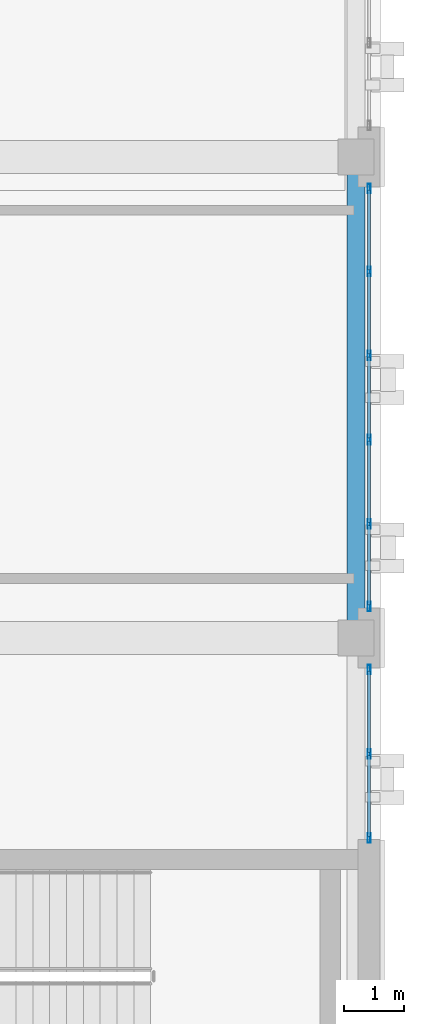
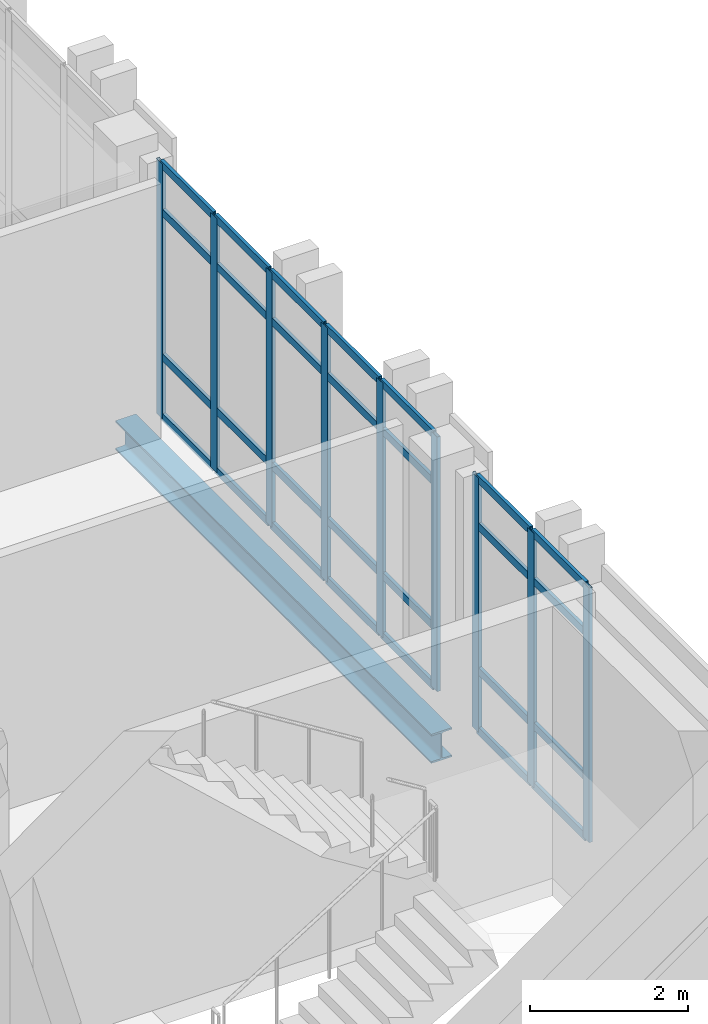
# One storey, part 34 of 77: 37 members, 1 beam, 2 elements without a shape of their own.
"""IFC4 building model written with IfcOpenShell, lengths in metres."""

from ifc_helpers import new_model, si_unit, direction, frame, origin, origin_2d, place, context, subcontext, project, spatial, hollow_rectangle, i_section, extrude, material, layer, layer_set, material_profile, profile_set, type_object, element, aggregate, save


model = new_model("IFC4")

# Units and contexts
model_context = context("Model", 3, precision=1e-05, world=origin(), true_north=direction((0.0, 1.0)))
body_context = subcontext(model_context, "Body", "Model", "MODEL_VIEW")
ifc_project = project(units=[si_unit("LENGTHUNIT", "METRE"), si_unit("AREAUNIT", "SQUARE_METRE"), si_unit("VOLUMEUNIT", "CUBIC_METRE"), si_unit("PLANEANGLEUNIT", "RADIAN"), si_unit("MASSUNIT", "GRAM", prefix="KILO")], contexts=[model_context])

# Site, building, storey
site_placement = place(None, origin())
site = spatial("IfcSite", under=ifc_project, at=site_placement, CompositionType="ELEMENT")
building_placement = place(site_placement, origin())
building = spatial("IfcBuilding", under=site, at=building_placement, Name="Qalavern Law Courts", CompositionType="ELEMENT")
storey_placement = place(building_placement, frame((0.0, 0.0, 27.0)))
storey = spatial("IfcBuildingStorey", under=building, at=storey_placement, Name="L06", CompositionType="ELEMENT", Elevation=27.0)

# Curtain wall, members
ifc_material_1 = material(Name="Anodised aluminium and insulated glazing", Category="aluminium")
ifc_layer = layer(ifc_material_1, 0.159912109375)
ifc_layer_set = layer_set([ifc_layer], Name="Anodised aluminium and insulated glazing")
curtain_wall_type = type_object("IfcCurtainWallType", Name="ENV-CW-CHAMB", PredefinedType="USERDEFINED", material=ifc_layer_set)
curtain_wall_1_placement = place(storey_placement, origin())
curtain_wall_1 = element("IfcCurtainWall", 1, at=curtain_wall_1_placement, inside=storey, type_object=curtain_wall_type, Name="V4 unitised curtain wall L06 east 1", ObjectType="UNITISED CURTAIN WALL", PredefinedType="USERDEFINED")
ifc_material_2 = material(Name="Anodised aluminium", Category="aluminium")
ifc_material_profile_1 = material_profile(ifc_material_2, hollow_rectangle(XDim=0.048095703125, YDim=0.159912109375, WallThickness=0.00390625, at=origin_2d()), Name="ALU MULLION 48x160")
ifc_profile_set_1 = profile_set([ifc_material_profile_1], Name="Anodised aluminium")
member_type_1 = type_object("IfcMemberType", Name="ENV-CWM-48x160", PredefinedType="MULLION", material=ifc_profile_set_1)
member_1_placement = place(storey_placement, frame((106.614990234375, 46.073974609375, 0.0), z_axis=(0.0, 0.0, 1.0), x_axis=(-1.0, 0.0, 0.0)))
member_1 = element("IfcMember", 2, at=member_1_placement, type_object=member_type_1, Name="CW-04 mullion 1", PredefinedType="MULLION", context=body_context, shape_type="SweptSolid", body=[
    extrude(hollow_rectangle(XDim=0.048095703125, YDim=0.159912109375, WallThickness=0.00390625, at=origin_2d()), origin(), (0.0, 0.0, 1.0), 3.93505859375),
])
member_2_placement = place(storey_placement, frame((106.614990234375, 47.47509765625, 0.0), z_axis=(0.0, 0.0, 1.0), x_axis=(-1.0, 0.0, 0.0)))
member_2 = element("IfcMember", 3, at=member_2_placement, type_object=member_type_1, Name="CW-04 mullion 2", PredefinedType="MULLION", context=body_context, shape_type="SweptSolid", body=[
    extrude(hollow_rectangle(XDim=0.048095703125, YDim=0.159912109375, WallThickness=0.00390625, at=origin_2d()), origin(), (0.0, 0.0, 1.0), 3.93505859375),
])
member_3_placement = place(storey_placement, frame((106.614990234375, 48.8759765625, 0.0), z_axis=(0.0, 0.0, 1.0), x_axis=(-1.0, 0.0, 0.0)))
member_3 = element("IfcMember", 4, at=member_3_placement, type_object=member_type_1, Name="CW-04 mullion 3", PredefinedType="MULLION", context=body_context, shape_type="SweptSolid", body=[
    extrude(hollow_rectangle(XDim=0.048095703125, YDim=0.159912109375, WallThickness=0.00390625, at=origin_2d()), origin(), (0.0, 0.0, 1.0), 3.93505859375),
])

curtain_wall_2_placement = place(storey_placement, origin())
curtain_wall_2 = element("IfcCurtainWall", 5, at=curtain_wall_2_placement, inside=storey, type_object=curtain_wall_type, Name="V4 unitised curtain wall L06 east 2", ObjectType="UNITISED CURTAIN WALL", PredefinedType="USERDEFINED")
member_4_placement = place(storey_placement, frame((106.614990234375, 49.924072265625, 0.0), z_axis=(0.0, 0.0, 1.0), x_axis=(-1.0, 0.0, 0.0)))
member_4 = element("IfcMember", 6, at=member_4_placement, type_object=member_type_1, Name="CW-04 mullion 1", PredefinedType="MULLION", context=body_context, shape_type="SweptSolid", body=[
    extrude(hollow_rectangle(XDim=0.048095703125, YDim=0.159912109375, WallThickness=0.00390625, at=origin_2d()), origin(), (0.0, 0.0, 1.0), 3.93505859375),
])
member_5_placement = place(storey_placement, frame((106.614990234375, 51.300048828125, 0.0), z_axis=(0.0, 0.0, 1.0), x_axis=(-1.0, 0.0, 0.0)))
member_5 = element("IfcMember", 7, at=member_5_placement, type_object=member_type_1, Name="CW-04 mullion 2", PredefinedType="MULLION", context=body_context, shape_type="SweptSolid", body=[
    extrude(hollow_rectangle(XDim=0.048095703125, YDim=0.159912109375, WallThickness=0.00390625, at=origin_2d()), origin(), (0.0, 0.0, 1.0), 3.93505859375),
])
member_6_placement = place(storey_placement, frame((106.614990234375, 52.699951171875, 0.0), z_axis=(0.0, 0.0, 1.0), x_axis=(-1.0, 0.0, 0.0)))
member_6 = element("IfcMember", 8, at=member_6_placement, type_object=member_type_1, Name="CW-04 mullion 3", PredefinedType="MULLION", context=body_context, shape_type="SweptSolid", body=[
    extrude(hollow_rectangle(XDim=0.048095703125, YDim=0.159912109375, WallThickness=0.00390625, at=origin_2d()), origin(), (0.0, 0.0, 1.0), 3.93505859375),
])
member_7_placement = place(storey_placement, frame((106.614990234375, 54.10009765625, 0.0), z_axis=(0.0, 0.0, 1.0), x_axis=(-1.0, 0.0, 0.0)))
member_7 = element("IfcMember", 9, at=member_7_placement, type_object=member_type_1, Name="CW-04 mullion 4", PredefinedType="MULLION", context=body_context, shape_type="SweptSolid", body=[
    extrude(hollow_rectangle(XDim=0.048095703125, YDim=0.159912109375, WallThickness=0.00390625, at=origin_2d()), origin(), (0.0, 0.0, 1.0), 3.93505859375),
])
member_8_placement = place(storey_placement, frame((106.614990234375, 55.5, 0.0), z_axis=(0.0, 0.0, 1.0), x_axis=(-1.0, 0.0, 0.0)))
member_8 = element("IfcMember", 10, at=member_8_placement, type_object=member_type_1, Name="CW-04 mullion 5", PredefinedType="MULLION", context=body_context, shape_type="SweptSolid", body=[
    extrude(hollow_rectangle(XDim=0.048095703125, YDim=0.159912109375, WallThickness=0.00390625, at=origin_2d()), origin(), (0.0, 0.0, 1.0), 3.93505859375),
])
member_9_placement = place(storey_placement, frame((106.614990234375, 56.8759765625, 0.0), z_axis=(0.0, 0.0, 1.0), x_axis=(-1.0, 0.0, 0.0)))
member_9 = element("IfcMember", 11, at=member_9_placement, type_object=member_type_1, Name="CW-04 mullion 6", PredefinedType="MULLION", context=body_context, shape_type="SweptSolid", body=[
    extrude(hollow_rectangle(XDim=0.048095703125, YDim=0.159912109375, WallThickness=0.00390625, at=origin_2d()), origin(), (0.0, 0.0, 1.0), 3.93505859375),
])

# Member
ifc_material_profile_2 = material_profile(ifc_material_2, hollow_rectangle(XDim=0.048095703125, YDim=0.1201171875, WallThickness=0.00390625, at=origin_2d()), Name="ALU TRANSOM 48x120")
ifc_profile_set_2 = profile_set([ifc_material_profile_2], Name="Anodised aluminium")
member_type_2 = type_object("IfcMemberType", Name="ENV-CWT-48x120", PredefinedType="USERDEFINED", material=ifc_profile_set_2)
member_10_placement = place(storey_placement, frame((106.614990234375, 46.097900390625, 0.02392578125), z_axis=(0.0, 1.0, 0.0), x_axis=(-1.0, 0.0, 0.0)))
member_10 = element("IfcMember", 12, at=member_10_placement, type_object=member_type_2, Name="CW-04 transom 1.1", ObjectType="TRANSOM", PredefinedType="USERDEFINED", context=body_context, shape_type="SweptSolid", body=[
    extrude(hollow_rectangle(XDim=0.048095703125, YDim=0.1201171875, WallThickness=0.00390625, at=origin_2d()), origin(), (0.0, 0.0, 1.0), 1.35302734375),
])

member_11_placement = place(storey_placement, frame((106.614990234375, 46.097900390625, 0.949951171875), z_axis=(0.0, 1.0, 0.0), x_axis=(-1.0, 0.0, 0.0)))
member_11 = element("IfcMember", 13, at=member_11_placement, type_object=member_type_2, Name="CW-04 transom 1.2", ObjectType="TRANSOM", PredefinedType="USERDEFINED", context=body_context, shape_type="SweptSolid", body=[
    extrude(hollow_rectangle(XDim=0.048095703125, YDim=0.1201171875, WallThickness=0.00390625, at=origin_2d()), origin(), (0.0, 0.0, 1.0), 1.35302734375),
])

member_12_placement = place(storey_placement, frame((106.614990234375, 46.097900390625, 3.18505859375), z_axis=(0.0, 1.0, 0.0), x_axis=(-1.0, 0.0, 0.0)))
member_12 = element("IfcMember", 14, at=member_12_placement, type_object=member_type_2, Name="CW-04 transom 1.3", ObjectType="TRANSOM", PredefinedType="USERDEFINED", context=body_context, shape_type="SweptSolid", body=[
    extrude(hollow_rectangle(XDim=0.048095703125, YDim=0.1201171875, WallThickness=0.00390625, at=origin_2d()), origin(), (0.0, 0.0, 1.0), 1.35302734375),
])

member_13_placement = place(storey_placement, frame((106.614990234375, 46.097900390625, 3.910888671875), z_axis=(0.0, 1.0, 0.0), x_axis=(-1.0, 0.0, 0.0)))
member_13 = element("IfcMember", 15, at=member_13_placement, type_object=member_type_2, Name="CW-04 transom 1.4", ObjectType="TRANSOM", PredefinedType="USERDEFINED", context=body_context, shape_type="SweptSolid", body=[
    extrude(hollow_rectangle(XDim=0.048095703125, YDim=0.1201171875, WallThickness=0.00390625, at=origin_2d()), origin(), (0.0, 0.0, 1.0), 1.35302734375),
])

member_14_placement = place(storey_placement, frame((106.614990234375, 47.4990234375, 0.02392578125), z_axis=(0.0, 1.0, 0.0), x_axis=(-1.0, 0.0, 0.0)))
member_14 = element("IfcMember", 16, at=member_14_placement, type_object=member_type_2, Name="CW-04 transom 2.1", ObjectType="TRANSOM", PredefinedType="USERDEFINED", context=body_context, shape_type="SweptSolid", body=[
    extrude(hollow_rectangle(XDim=0.048095703125, YDim=0.1201171875, WallThickness=0.00390625, at=origin_2d()), origin(), (0.0, 0.0, 1.0), 1.35302734375),
])

member_15_placement = place(storey_placement, frame((106.614990234375, 47.4990234375, 0.949951171875), z_axis=(0.0, 1.0, 0.0), x_axis=(-1.0, 0.0, 0.0)))
member_15 = element("IfcMember", 17, at=member_15_placement, type_object=member_type_2, Name="CW-04 transom 2.2", ObjectType="TRANSOM", PredefinedType="USERDEFINED", context=body_context, shape_type="SweptSolid", body=[
    extrude(hollow_rectangle(XDim=0.048095703125, YDim=0.1201171875, WallThickness=0.00390625, at=origin_2d()), origin(), (0.0, 0.0, 1.0), 1.35302734375),
])

member_16_placement = place(storey_placement, frame((106.614990234375, 47.4990234375, 3.18505859375), z_axis=(0.0, 1.0, 0.0), x_axis=(-1.0, 0.0, 0.0)))
member_16 = element("IfcMember", 18, at=member_16_placement, type_object=member_type_2, Name="CW-04 transom 2.3", ObjectType="TRANSOM", PredefinedType="USERDEFINED", context=body_context, shape_type="SweptSolid", body=[
    extrude(hollow_rectangle(XDim=0.048095703125, YDim=0.1201171875, WallThickness=0.00390625, at=origin_2d()), origin(), (0.0, 0.0, 1.0), 1.35302734375),
])

member_17_placement = place(storey_placement, frame((106.614990234375, 47.4990234375, 3.910888671875), z_axis=(0.0, 1.0, 0.0), x_axis=(-1.0, 0.0, 0.0)))
member_17 = element("IfcMember", 19, at=member_17_placement, type_object=member_type_2, Name="CW-04 transom 2.4", ObjectType="TRANSOM", PredefinedType="USERDEFINED", context=body_context, shape_type="SweptSolid", body=[
    extrude(hollow_rectangle(XDim=0.048095703125, YDim=0.1201171875, WallThickness=0.00390625, at=origin_2d()), origin(), (0.0, 0.0, 1.0), 1.35302734375),
])

aggregate(curtain_wall_1, [member_1, member_2, member_3, member_10, member_11, member_12, member_13, member_14, member_15, member_16, member_17])

member_18_placement = place(storey_placement, frame((106.614990234375, 49.947998046875, 0.02392578125), z_axis=(0.0, 1.0, 0.0), x_axis=(-1.0, 0.0, 0.0)))
member_18 = element("IfcMember", 20, at=member_18_placement, type_object=member_type_2, Name="CW-04 transom 1.1", ObjectType="TRANSOM", PredefinedType="USERDEFINED", context=body_context, shape_type="SweptSolid", body=[
    extrude(hollow_rectangle(XDim=0.048095703125, YDim=0.1201171875, WallThickness=0.00390625, at=origin_2d()), origin(), (0.0, 0.0, 1.0), 1.327880859375),
])

member_19_placement = place(storey_placement, frame((106.614990234375, 49.947998046875, 0.949951171875), z_axis=(0.0, 1.0, 0.0), x_axis=(-1.0, 0.0, 0.0)))
member_19 = element("IfcMember", 21, at=member_19_placement, type_object=member_type_2, Name="CW-04 transom 1.2", ObjectType="TRANSOM", PredefinedType="USERDEFINED", context=body_context, shape_type="SweptSolid", body=[
    extrude(hollow_rectangle(XDim=0.048095703125, YDim=0.1201171875, WallThickness=0.00390625, at=origin_2d()), origin(), (0.0, 0.0, 1.0), 1.327880859375),
])

member_20_placement = place(storey_placement, frame((106.614990234375, 49.947998046875, 3.18505859375), z_axis=(0.0, 1.0, 0.0), x_axis=(-1.0, 0.0, 0.0)))
member_20 = element("IfcMember", 22, at=member_20_placement, type_object=member_type_2, Name="CW-04 transom 1.3", ObjectType="TRANSOM", PredefinedType="USERDEFINED", context=body_context, shape_type="SweptSolid", body=[
    extrude(hollow_rectangle(XDim=0.048095703125, YDim=0.1201171875, WallThickness=0.00390625, at=origin_2d()), origin(), (0.0, 0.0, 1.0), 1.327880859375),
])

member_21_placement = place(storey_placement, frame((106.614990234375, 49.947998046875, 3.910888671875), z_axis=(0.0, 1.0, 0.0), x_axis=(-1.0, 0.0, 0.0)))
member_21 = element("IfcMember", 23, at=member_21_placement, type_object=member_type_2, Name="CW-04 transom 1.4", ObjectType="TRANSOM", PredefinedType="USERDEFINED", context=body_context, shape_type="SweptSolid", body=[
    extrude(hollow_rectangle(XDim=0.048095703125, YDim=0.1201171875, WallThickness=0.00390625, at=origin_2d()), origin(), (0.0, 0.0, 1.0), 1.327880859375),
])

member_22_placement = place(storey_placement, frame((106.614990234375, 51.323974609375, 0.02392578125), z_axis=(0.0, 1.0, 0.0), x_axis=(-1.0, 0.0, 0.0)))
member_22 = element("IfcMember", 24, at=member_22_placement, type_object=member_type_2, Name="CW-04 transom 2.1", ObjectType="TRANSOM", PredefinedType="USERDEFINED", context=body_context, shape_type="SweptSolid", body=[
    extrude(hollow_rectangle(XDim=0.048095703125, YDim=0.1201171875, WallThickness=0.00390625, at=origin_2d()), origin(), (0.0, 0.0, 1.0), 1.35205078125),
])

member_23_placement = place(storey_placement, frame((106.614990234375, 51.323974609375, 0.949951171875), z_axis=(0.0, 1.0, 0.0), x_axis=(-1.0, 0.0, 0.0)))
member_23 = element("IfcMember", 25, at=member_23_placement, type_object=member_type_2, Name="CW-04 transom 2.2", ObjectType="TRANSOM", PredefinedType="USERDEFINED", context=body_context, shape_type="SweptSolid", body=[
    extrude(hollow_rectangle(XDim=0.048095703125, YDim=0.1201171875, WallThickness=0.00390625, at=origin_2d()), origin(), (0.0, 0.0, 1.0), 1.35205078125),
])

member_24_placement = place(storey_placement, frame((106.614990234375, 51.323974609375, 3.18505859375), z_axis=(0.0, 1.0, 0.0), x_axis=(-1.0, 0.0, 0.0)))
member_24 = element("IfcMember", 26, at=member_24_placement, type_object=member_type_2, Name="CW-04 transom 2.3", ObjectType="TRANSOM", PredefinedType="USERDEFINED", context=body_context, shape_type="SweptSolid", body=[
    extrude(hollow_rectangle(XDim=0.048095703125, YDim=0.1201171875, WallThickness=0.00390625, at=origin_2d()), origin(), (0.0, 0.0, 1.0), 1.35205078125),
])

member_25_placement = place(storey_placement, frame((106.614990234375, 51.323974609375, 3.910888671875), z_axis=(0.0, 1.0, 0.0), x_axis=(-1.0, 0.0, 0.0)))
member_25 = element("IfcMember", 27, at=member_25_placement, type_object=member_type_2, Name="CW-04 transom 2.4", ObjectType="TRANSOM", PredefinedType="USERDEFINED", context=body_context, shape_type="SweptSolid", body=[
    extrude(hollow_rectangle(XDim=0.048095703125, YDim=0.1201171875, WallThickness=0.00390625, at=origin_2d()), origin(), (0.0, 0.0, 1.0), 1.35205078125),
])

member_26_placement = place(storey_placement, frame((106.614990234375, 52.72412109375, 0.02392578125), z_axis=(0.0, 1.0, 0.0), x_axis=(-1.0, 0.0, 0.0)))
member_26 = element("IfcMember", 28, at=member_26_placement, type_object=member_type_2, Name="CW-04 transom 3.1", ObjectType="TRANSOM", PredefinedType="USERDEFINED", context=body_context, shape_type="SweptSolid", body=[
    extrude(hollow_rectangle(XDim=0.048095703125, YDim=0.1201171875, WallThickness=0.00390625, at=origin_2d()), origin(), (0.0, 0.0, 1.0), 1.351806640625),
])

member_27_placement = place(storey_placement, frame((106.614990234375, 52.72412109375, 0.949951171875), z_axis=(0.0, 1.0, 0.0), x_axis=(-1.0, 0.0, 0.0)))
member_27 = element("IfcMember", 29, at=member_27_placement, type_object=member_type_2, Name="CW-04 transom 3.2", ObjectType="TRANSOM", PredefinedType="USERDEFINED", context=body_context, shape_type="SweptSolid", body=[
    extrude(hollow_rectangle(XDim=0.048095703125, YDim=0.1201171875, WallThickness=0.00390625, at=origin_2d()), origin(), (0.0, 0.0, 1.0), 1.351806640625),
])

member_28_placement = place(storey_placement, frame((106.614990234375, 52.72412109375, 3.18505859375), z_axis=(0.0, 1.0, 0.0), x_axis=(-1.0, 0.0, 0.0)))
member_28 = element("IfcMember", 30, at=member_28_placement, type_object=member_type_2, Name="CW-04 transom 3.3", ObjectType="TRANSOM", PredefinedType="USERDEFINED", context=body_context, shape_type="SweptSolid", body=[
    extrude(hollow_rectangle(XDim=0.048095703125, YDim=0.1201171875, WallThickness=0.00390625, at=origin_2d()), origin(), (0.0, 0.0, 1.0), 1.351806640625),
])

member_29_placement = place(storey_placement, frame((106.614990234375, 52.72412109375, 3.910888671875), z_axis=(0.0, 1.0, 0.0), x_axis=(-1.0, 0.0, 0.0)))
member_29 = element("IfcMember", 31, at=member_29_placement, type_object=member_type_2, Name="CW-04 transom 3.4", ObjectType="TRANSOM", PredefinedType="USERDEFINED", context=body_context, shape_type="SweptSolid", body=[
    extrude(hollow_rectangle(XDim=0.048095703125, YDim=0.1201171875, WallThickness=0.00390625, at=origin_2d()), origin(), (0.0, 0.0, 1.0), 1.351806640625),
])

member_30_placement = place(storey_placement, frame((106.614990234375, 54.1240234375, 0.02392578125), z_axis=(0.0, 1.0, 0.0), x_axis=(-1.0, 0.0, 0.0)))
member_30 = element("IfcMember", 32, at=member_30_placement, type_object=member_type_2, Name="CW-04 transom 4.1", ObjectType="TRANSOM", PredefinedType="USERDEFINED", context=body_context, shape_type="SweptSolid", body=[
    extrude(hollow_rectangle(XDim=0.048095703125, YDim=0.1201171875, WallThickness=0.00390625, at=origin_2d()), origin(), (0.0, 0.0, 1.0), 1.35205078125),
])

member_31_placement = place(storey_placement, frame((106.614990234375, 54.1240234375, 0.949951171875), z_axis=(0.0, 1.0, 0.0), x_axis=(-1.0, 0.0, 0.0)))
member_31 = element("IfcMember", 33, at=member_31_placement, type_object=member_type_2, Name="CW-04 transom 4.2", ObjectType="TRANSOM", PredefinedType="USERDEFINED", context=body_context, shape_type="SweptSolid", body=[
    extrude(hollow_rectangle(XDim=0.048095703125, YDim=0.1201171875, WallThickness=0.00390625, at=origin_2d()), origin(), (0.0, 0.0, 1.0), 1.35205078125),
])

member_32_placement = place(storey_placement, frame((106.614990234375, 54.1240234375, 3.18505859375), z_axis=(0.0, 1.0, 0.0), x_axis=(-1.0, 0.0, 0.0)))
member_32 = element("IfcMember", 34, at=member_32_placement, type_object=member_type_2, Name="CW-04 transom 4.3", ObjectType="TRANSOM", PredefinedType="USERDEFINED", context=body_context, shape_type="SweptSolid", body=[
    extrude(hollow_rectangle(XDim=0.048095703125, YDim=0.1201171875, WallThickness=0.00390625, at=origin_2d()), origin(), (0.0, 0.0, 1.0), 1.35205078125),
])

member_33_placement = place(storey_placement, frame((106.614990234375, 54.1240234375, 3.910888671875), z_axis=(0.0, 1.0, 0.0), x_axis=(-1.0, 0.0, 0.0)))
member_33 = element("IfcMember", 35, at=member_33_placement, type_object=member_type_2, Name="CW-04 transom 4.4", ObjectType="TRANSOM", PredefinedType="USERDEFINED", context=body_context, shape_type="SweptSolid", body=[
    extrude(hollow_rectangle(XDim=0.048095703125, YDim=0.1201171875, WallThickness=0.00390625, at=origin_2d()), origin(), (0.0, 0.0, 1.0), 1.35205078125),
])

member_34_placement = place(storey_placement, frame((106.614990234375, 55.52392578125, 0.02392578125), z_axis=(0.0, 1.0, 0.0), x_axis=(-1.0, 0.0, 0.0)))
member_34 = element("IfcMember", 36, at=member_34_placement, type_object=member_type_2, Name="CW-04 transom 5.1", ObjectType="TRANSOM", PredefinedType="USERDEFINED", context=body_context, shape_type="SweptSolid", body=[
    extrude(hollow_rectangle(XDim=0.048095703125, YDim=0.1201171875, WallThickness=0.00390625, at=origin_2d()), origin(), (0.0, 0.0, 1.0), 1.328125),
])

member_35_placement = place(storey_placement, frame((106.614990234375, 55.52392578125, 0.949951171875), z_axis=(0.0, 1.0, 0.0), x_axis=(-1.0, 0.0, 0.0)))
member_35 = element("IfcMember", 37, at=member_35_placement, type_object=member_type_2, Name="CW-04 transom 5.2", ObjectType="TRANSOM", PredefinedType="USERDEFINED", context=body_context, shape_type="SweptSolid", body=[
    extrude(hollow_rectangle(XDim=0.048095703125, YDim=0.1201171875, WallThickness=0.00390625, at=origin_2d()), origin(), (0.0, 0.0, 1.0), 1.328125),
])

member_36_placement = place(storey_placement, frame((106.614990234375, 55.52392578125, 3.18505859375), z_axis=(0.0, 1.0, 0.0), x_axis=(-1.0, 0.0, 0.0)))
member_36 = element("IfcMember", 38, at=member_36_placement, type_object=member_type_2, Name="CW-04 transom 5.3", ObjectType="TRANSOM", PredefinedType="USERDEFINED", context=body_context, shape_type="SweptSolid", body=[
    extrude(hollow_rectangle(XDim=0.048095703125, YDim=0.1201171875, WallThickness=0.00390625, at=origin_2d()), origin(), (0.0, 0.0, 1.0), 1.328125),
])

member_37_placement = place(storey_placement, frame((106.614990234375, 55.52392578125, 3.910888671875), z_axis=(0.0, 1.0, 0.0), x_axis=(-1.0, 0.0, 0.0)))
member_37 = element("IfcMember", 39, at=member_37_placement, type_object=member_type_2, Name="CW-04 transom 5.4", ObjectType="TRANSOM", PredefinedType="USERDEFINED", context=body_context, shape_type="SweptSolid", body=[
    extrude(hollow_rectangle(XDim=0.048095703125, YDim=0.1201171875, WallThickness=0.00390625, at=origin_2d()), origin(), (0.0, 0.0, 1.0), 1.328125),
])

aggregate(curtain_wall_2, [member_4, member_5, member_6, member_7, member_8, member_9, member_18, member_19, member_20, member_21, member_22, member_23, member_24, member_25, member_26, member_27, member_28, member_29, member_30, member_31, member_32, member_33, member_34, member_35, member_36, member_37])

# Beam
ifc_material_3 = material(Name="Steel S355", Category="steel")
ifc_material_profile_3 = material_profile(ifc_material_3, i_section(OverallWidth=0.300048828125, OverallDepth=0.449951171875, WebThickness=0.013916015625, FlangeThickness=0.02587890625, FilletRadius=0.027099609375, at=origin_2d()), Name="HEB 450")
ifc_profile_set_3 = profile_set([ifc_material_profile_3], Name="Steel S355")
beam_type = type_object("IfcBeamType", Name="STR-SP-HEB450", PredefinedType="SPANDREL", material=ifc_profile_set_3)
beam_placement = place(storey_placement, frame((106.39990234375, 49.39990234375, -0.4951171875), z_axis=(0.0, 1.0, 0.0), x_axis=(-1.0, 0.0, 0.0)))
element("IfcBeam", 40, at=beam_placement, inside=storey, type_object=beam_type, Name="V4 Y-beam 3-2 L06", PredefinedType="SPANDREL", context=body_context, shape_type="SweptSolid", body=[
    extrude(i_section(OverallWidth=0.300048828125, OverallDepth=0.449951171875, WebThickness=0.013916015625, FlangeThickness=0.02587890625, FilletRadius=0.027099609375, at=origin_2d()), origin(), (0.0, 0.0, 1.0), 8.0),
])

save(model, "model.ifc")
